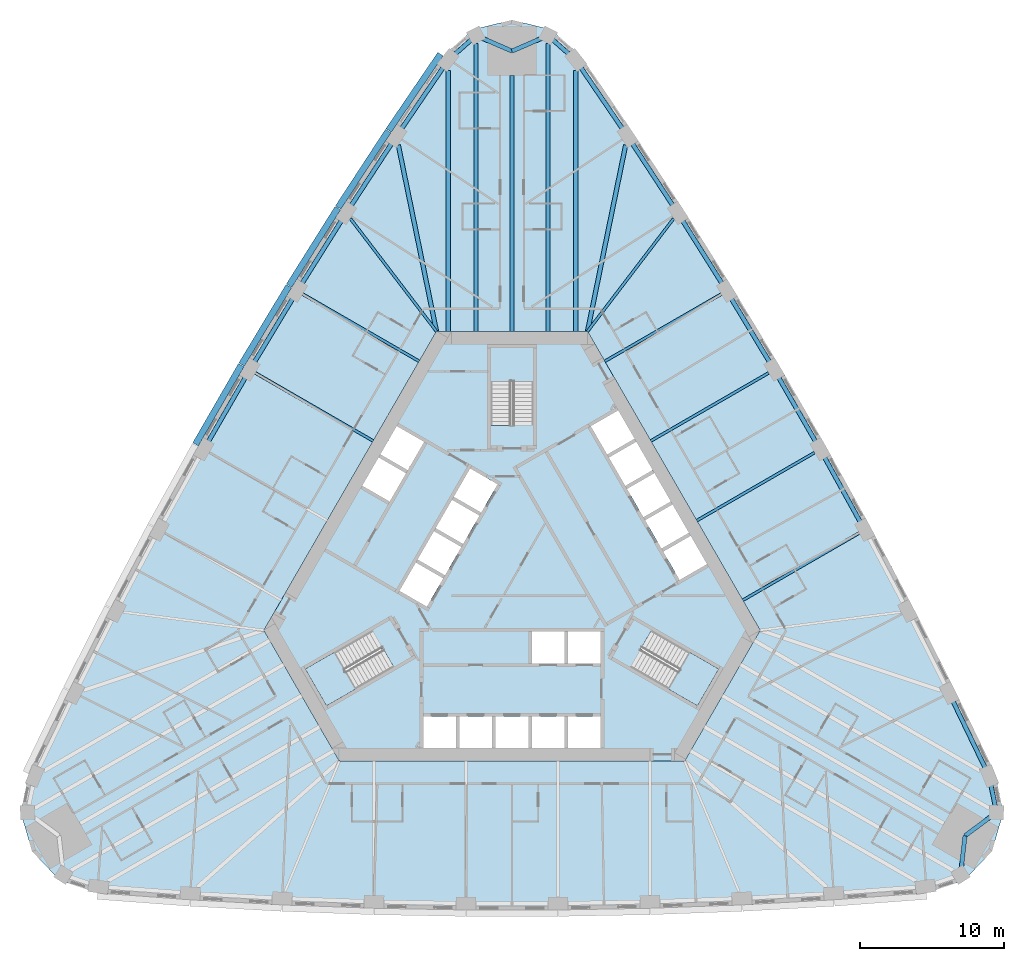
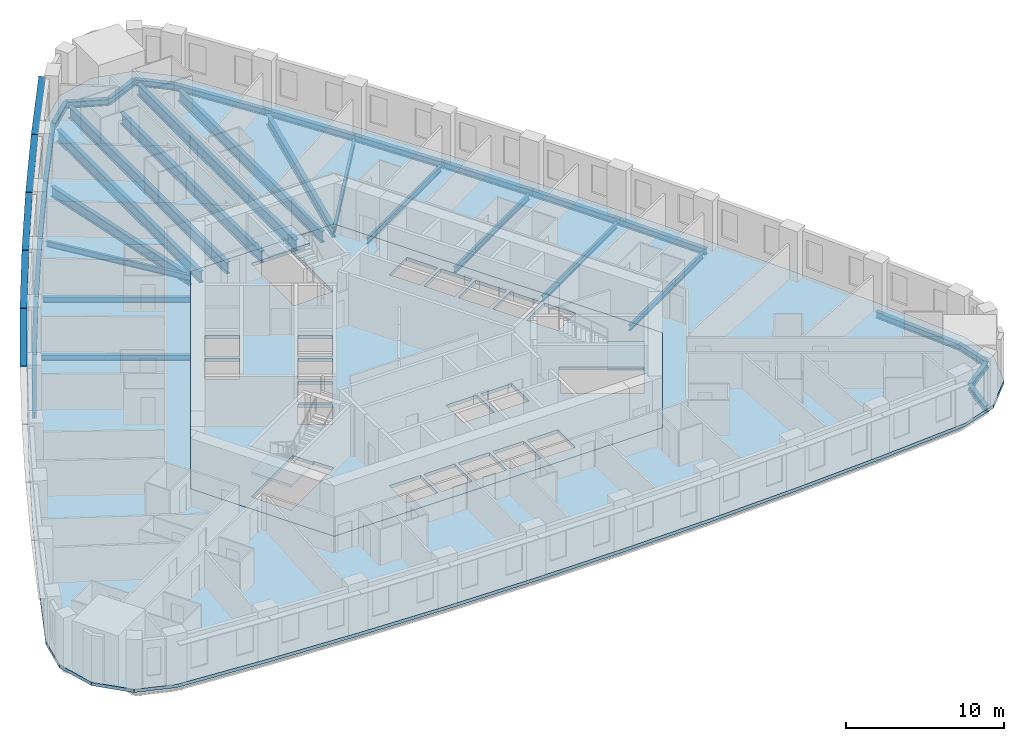
# One storey, part 2 of 13: 34 beams, 5 members, 5 slabs, 3 elements without a shape of their own.
"""IFC4 building model written with IfcOpenShell, lengths in metres."""

from ifc_helpers import new_model, si_unit, direction, frame, origin, origin_2d, place, context, subcontext, project, spatial, polyline, rectangle, i_section, outline, extrude, material, layer, layer_set, material_profile, profile_set, type_object, element, aggregate, save


model = new_model("IFC4")

# Units and contexts
model_context = context("Model", 3, precision=1e-05, world=origin(), true_north=direction((0.0, 1.0)))
body_context = subcontext(model_context, "Body", "Model", "MODEL_VIEW")
ifc_project = project(units=[si_unit("LENGTHUNIT", "METRE"), si_unit("AREAUNIT", "SQUARE_METRE"), si_unit("VOLUMEUNIT", "CUBIC_METRE"), si_unit("PLANEANGLEUNIT", "RADIAN"), si_unit("MASSUNIT", "GRAM", prefix="KILO")], contexts=[model_context])

# Site, building, storey
site_placement = place(None, origin())
site = spatial("IfcSite", under=ifc_project, at=site_placement, CompositionType="ELEMENT")
building_placement = place(site_placement, origin())
building = spatial("IfcBuilding", under=site, at=building_placement, Name="Mestral Congress Tower", CompositionType="ELEMENT")
storey_placement = place(building_placement, frame((0.0, 0.0, 27.60009765625)))
storey = spatial("IfcBuildingStorey", under=building, at=storey_placement, Name="L05", CompositionType="ELEMENT", Elevation=27.60009765625)

# Members
ifc_material_1 = material(Name="Glazed ceramic", Category="masonry")
ifc_material_profile_1 = material_profile(ifc_material_1, rectangle(XDim=0.449951171875, YDim=0.06005859375, at=origin_2d()), Name="Ceramic blade 450 x 60")
ifc_profile_set_1 = profile_set([ifc_material_profile_1], Name="Glazed ceramic")
member_type = type_object("IfcMemberType", Name="Facade sunshade blade 450 x 60", PredefinedType="USERDEFINED", material=ifc_profile_set_1)
member_1_placement = place(storey_placement, frame((-4.973388671875, 36.188232421875, 3.27978515625), z_axis=(-0.562633427576, -0.826706493367, 0.0), x_axis=(0.826706493367, -0.562633427576, 0.0)))
element("IfcMember", 1, at=member_1_placement, inside=storey, type_object=member_type, Name="Sunshade F2-00", ObjectType="SUNSHADE", PredefinedType="USERDEFINED", context=body_context, shape_type="SweptSolid", body=[
    extrude(rectangle(XDim=0.449951171875, YDim=0.06005859375, at=origin_2d()), origin(), (0.0, 0.0, 1.0), 6.4208984375),
])
member_2_placement = place(storey_placement, frame((-8.6103515625, 30.843505859375, 3.27978515625), z_axis=(-0.547211145376, -0.836994601163, 0.0), x_axis=(0.836994601163, -0.547211145376, 0.0)))
element("IfcMember", 2, at=member_2_placement, inside=storey, type_object=member_type, Name="Sunshade F2-01", ObjectType="SUNSHADE", PredefinedType="USERDEFINED", context=body_context, shape_type="SweptSolid", body=[
    extrude(rectangle(XDim=0.449951171875, YDim=0.06005859375, at=origin_2d()), origin(), (0.0, 0.0, 1.0), 6.368408203125),
])
for number, where, z_axis, x_axis, name in (
    (3, (-12.119140625, 25.47607421875, 3.27978515625), (-0.531665815747, -0.846954225662, 0.0), (0.846954225662, -0.531665815747, 0.0), "Sunshade F2-02"),
    (4, (-15.528076171875, 20.044921875, 3.27978515625), (-0.515904518528, -0.856646092481, 0.0), (0.856646092481, -0.515904518528, 0.0), "Sunshade F2-03"),
):
    element("IfcMember", number, at=place(storey_placement, frame(where, z_axis=z_axis, x_axis=x_axis)), inside=storey, type_object=member_type, Name=name, ObjectType="SUNSHADE", PredefinedType="USERDEFINED", context=body_context, shape_type="SweptSolid", body=[
        extrude(rectangle(XDim=0.449951171875, YDim=0.06005859375, at=origin_2d()), origin(), (0.0, 0.0, 1.0), 6.3681640625),
    ])
member_3_placement = place(storey_placement, frame((-18.8359375, 14.5517578125, 3.27978515625), z_axis=(-0.499990149842, -0.866031090701, 0.0), x_axis=(0.866031090701, -0.499990149842, 0.0)))
element("IfcMember", 5, at=member_3_placement, inside=storey, type_object=member_type, Name="Sunshade F2-04", ObjectType="SUNSHADE", PredefinedType="USERDEFINED", context=body_context, shape_type="SweptSolid", body=[
    extrude(rectangle(XDim=0.449951171875, YDim=0.06005859375, at=origin_2d()), origin(), (0.0, 0.0, 1.0), 6.368408203125),
])

# Beams
ifc_material_2 = material(Name="Steel S355", Category="steel")
ifc_material_profile_2 = material_profile(ifc_material_2, i_section(OverallWidth=0.300048828125, OverallDepth=0.800048828125, WebThickness=0.017578125, FlangeThickness=0.032958984375, FilletRadius=0.030029296875, at=origin_2d()), Name="HEB 800")
ifc_profile_set_2 = profile_set([ifc_material_profile_2], Name="Steel S355")
beam_type_1 = type_object("IfcBeamType", Name="Floor beam HEB 800 S355", PredefinedType="BEAM", material=ifc_profile_set_2)
for number, where, z_axis, x_axis, name in (
    (6, (7.90966796875, 29.86669921875, -0.650146484375), (-0.200647311614, -0.979663542418, 0.0), (0.979663542418, -0.200647311614, 0.0), "BM-L05-RB1-E08"),
    (7, (-7.90966796875, 29.86669921875, -0.650146484375), (0.200647311614, -0.979663542418, 0.0), (0.979663542418, 0.200647311614, 0.0), "BM-L05-RB1-W01"),
):
    element("IfcBeam", number, at=place(storey_placement, frame(where, z_axis=z_axis, x_axis=x_axis)), inside=storey, type_object=beam_type_1, Name=name, PredefinedType="BEAM", context=body_context, shape_type="SweptSolid", body=[
        extrude(i_section(OverallWidth=0.300048828125, OverallDepth=0.800048828125, WebThickness=0.017578125, FlangeThickness=0.032958984375, FilletRadius=0.030029296875, at=origin_2d()), origin(), (0.0, 0.0, 1.0), 13.236083984375),
    ])
ifc_material_profile_3 = material_profile(ifc_material_2, i_section(OverallWidth=0.300048828125, OverallDepth=0.89990234375, WebThickness=0.0185546875, FlangeThickness=0.034912109375, FilletRadius=0.030029296875, at=origin_2d()), Name="HEB 900")
ifc_profile_set_3 = profile_set([ifc_material_profile_3], Name="Steel S355")
beam_type_2 = type_object("IfcBeamType", Name="Floor beam HEB 900 S355", PredefinedType="BEAM", material=ifc_profile_set_3)
beam_1_placement = place(storey_placement, frame((4.43603515625, 35.052734375, -0.7001953125), z_axis=(0.0, -1.0, 0.0), x_axis=(1.0, 0.0, 0.0)))
element("IfcBeam", 8, at=beam_1_placement, inside=storey, type_object=beam_type_2, Name="BM-L05-RB1-E09", PredefinedType="BEAM", context=body_context, shape_type="SweptSolid", body=[
    extrude(i_section(OverallWidth=0.300048828125, OverallDepth=0.89990234375, WebThickness=0.0185546875, FlangeThickness=0.034912109375, FilletRadius=0.030029296875, at=origin_2d()), origin(), (0.0, 0.0, 1.0), 18.15283203125),
])
beam_2_placement = place(storey_placement, frame((2.503173828125, 36.91943359375, -0.7001953125), z_axis=(0.0, -1.0, 0.0), x_axis=(1.0, 0.0, 0.0)))
element("IfcBeam", 9, at=beam_2_placement, inside=storey, type_object=beam_type_2, Name="BM-L05-RB1-N1", PredefinedType="BEAM", context=body_context, shape_type="SweptSolid", body=[
    extrude(i_section(OverallWidth=0.300048828125, OverallDepth=0.89990234375, WebThickness=0.0185546875, FlangeThickness=0.034912109375, FilletRadius=0.030029296875, at=origin_2d()), origin(), (0.0, 0.0, 1.0), 20.01953125),
])
beam_3_placement = place(storey_placement, frame((0.0, 34.698974609375, -0.7001953125), z_axis=(0.0, -1.0, 0.0), x_axis=(1.0, 0.0, 0.0)))
element("IfcBeam", 10, at=beam_3_placement, inside=storey, type_object=beam_type_2, Name="BM-L05-RB1-N", PredefinedType="BEAM", context=body_context, shape_type="SweptSolid", body=[
    extrude(i_section(OverallWidth=0.300048828125, OverallDepth=0.89990234375, WebThickness=0.0185546875, FlangeThickness=0.034912109375, FilletRadius=0.030029296875, at=origin_2d()), origin(), (0.0, 0.0, 1.0), 17.799072265625),
])
beam_4_placement = place(storey_placement, frame((-2.503173828125, 36.91943359375, -0.7001953125), z_axis=(0.0, -1.0, 0.0), x_axis=(1.0, 0.0, 0.0)))
element("IfcBeam", 11, at=beam_4_placement, inside=storey, type_object=beam_type_2, Name="BM-L05-RB1-N3", PredefinedType="BEAM", context=body_context, shape_type="SweptSolid", body=[
    extrude(i_section(OverallWidth=0.300048828125, OverallDepth=0.89990234375, WebThickness=0.0185546875, FlangeThickness=0.034912109375, FilletRadius=0.030029296875, at=origin_2d()), origin(), (0.0, 0.0, 1.0), 20.01953125),
])
beam_5_placement = place(storey_placement, frame((-4.43603515625, 35.052734375, -0.7001953125), z_axis=(0.0, -1.0, 0.0), x_axis=(1.0, 0.0, 0.0)))
element("IfcBeam", 12, at=beam_5_placement, inside=storey, type_object=beam_type_2, Name="BM-L05-RB1-W00", PredefinedType="BEAM", context=body_context, shape_type="SweptSolid", body=[
    extrude(i_section(OverallWidth=0.300048828125, OverallDepth=0.89990234375, WebThickness=0.0185546875, FlangeThickness=0.034912109375, FilletRadius=0.030029296875, at=origin_2d()), origin(), (0.0, 0.0, 1.0), 18.15283203125),
])
ifc_material_profile_4 = material_profile(ifc_material_2, i_section(OverallWidth=0.18994140625, OverallDepth=0.449951171875, WebThickness=0.009521484375, FlangeThickness=0.0146484375, FilletRadius=0.02099609375, at=origin_2d()), Name="IPE 450")
ifc_profile_set_4 = profile_set([ifc_material_profile_4], Name="Steel S355")
beam_type_3 = type_object("IfcBeamType", Name="Floor beam IPE 450 S355", PredefinedType="BEAM", material=ifc_profile_set_4)
beam_6_placement = place(storey_placement, frame((24.150634765625, 2.859619140625, -0.47509765625), z_axis=(-0.866032011123, -0.499988555579, 0.0), x_axis=(0.499988555579, -0.866032011123, 0.0)))
element("IfcBeam", 13, at=beam_6_placement, inside=storey, type_object=beam_type_3, Name="BM-L05-RB1-E03", PredefinedType="BEAM", context=body_context, shape_type="SweptSolid", body=[
    extrude(i_section(OverallWidth=0.18994140625, OverallDepth=0.449951171875, WebThickness=0.009521484375, FlangeThickness=0.0146484375, FilletRadius=0.02099609375, at=origin_2d()), origin(), (0.0, 0.0, 1.0), 9.344970703125),
])
for number, where, z_axis, x_axis, name in (
    (14, (21.0537109375, 8.46044921875, -0.47509765625), (-0.866019749231, -0.500009793847, 0.0), (0.500009793847, -0.866019749231, 0.0), "BM-L05-RB1-E04"),
    (15, (17.853759765625, 14.0029296875, -0.47509765625), (-0.866019749231, -0.500009793847, 0.0), (0.500009793847, -0.866019749231, 0.0), "BM-L05-RB1-E05"),
):
    element("IfcBeam", number, at=place(storey_placement, frame(where, z_axis=z_axis, x_axis=x_axis)), inside=storey, type_object=beam_type_3, Name=name, PredefinedType="BEAM", context=body_context, shape_type="SweptSolid", body=[
        extrude(i_section(OverallWidth=0.18994140625, OverallDepth=0.449951171875, WebThickness=0.009521484375, FlangeThickness=0.0146484375, FilletRadius=0.02099609375, at=origin_2d()), origin(), (0.0, 0.0, 1.0), 9.463134765625),
    ])
beam_7_placement = place(storey_placement, frame((14.5517578125, 19.485107421875, -0.47509765625), z_axis=(-0.866025479842, -0.499999868264, 0.0), x_axis=(0.499999868264, -0.866025479842, 0.0)))
element("IfcBeam", 16, at=beam_7_placement, inside=storey, type_object=beam_type_3, Name="BM-L05-RB1-E06", PredefinedType="BEAM", context=body_context, shape_type="SweptSolid", body=[
    extrude(i_section(OverallWidth=0.18994140625, OverallDepth=0.449951171875, WebThickness=0.009521484375, FlangeThickness=0.0146484375, FilletRadius=0.02099609375, at=origin_2d()), origin(), (0.0, 0.0, 1.0), 9.3447265625),
])
for number, where, z_axis, x_axis, name in (
    (17, (11.248291015625, 24.75, -0.47509765625), (-0.606898557801, -0.794779303039, 0.0), (0.794779303039, -0.606898557801, 0.0), "BM-L05-RB1-E07"),
    (18, (-11.248291015625, 24.75, -0.47509765625), (0.606898557801, -0.794779303039, 0.0), (0.794779303039, 0.606898557801, 0.0), "BM-L05-RB1-W02"),
):
    element("IfcBeam", number, at=place(storey_placement, frame(where, z_axis=z_axis, x_axis=x_axis)), inside=storey, type_object=beam_type_3, Name=name, PredefinedType="BEAM", context=body_context, shape_type="SweptSolid", body=[
        extrude(i_section(OverallWidth=0.18994140625, OverallDepth=0.449951171875, WebThickness=0.009521484375, FlangeThickness=0.0146484375, FilletRadius=0.02099609375, at=origin_2d()), origin(), (0.0, 0.0, 1.0), 9.877197265625),
    ])
beam_8_placement = place(storey_placement, frame((-14.5517578125, 19.485107421875, -0.47509765625), z_axis=(0.866025479842, -0.499999868264, 0.0), x_axis=(0.499999868264, 0.866025479842, 0.0)))
element("IfcBeam", 19, at=beam_8_placement, inside=storey, type_object=beam_type_3, Name="BM-L05-RB1-W03", PredefinedType="BEAM", context=body_context, shape_type="SweptSolid", body=[
    extrude(i_section(OverallWidth=0.18994140625, OverallDepth=0.449951171875, WebThickness=0.009521484375, FlangeThickness=0.0146484375, FilletRadius=0.02099609375, at=origin_2d()), origin(), (0.0, 0.0, 1.0), 9.3447265625),
])
beam_9_placement = place(storey_placement, frame((-17.853759765625, 14.0029296875, -0.47509765625), z_axis=(0.866019749231, -0.500009793847, 0.0), x_axis=(0.500009793847, 0.866019749231, 0.0)))
element("IfcBeam", 20, at=beam_9_placement, inside=storey, type_object=beam_type_3, Name="BM-L05-RB1-W04", PredefinedType="BEAM", context=body_context, shape_type="SweptSolid", body=[
    extrude(i_section(OverallWidth=0.18994140625, OverallDepth=0.449951171875, WebThickness=0.009521484375, FlangeThickness=0.0146484375, FilletRadius=0.02099609375, at=origin_2d()), origin(), (0.0, 0.0, 1.0), 9.463134765625),
])
ifc_material_profile_5 = material_profile(ifc_material_2, i_section(OverallWidth=0.300048828125, OverallDepth=0.489990234375, WebThickness=0.011962890625, FlangeThickness=0.02294921875, FilletRadius=0.027099609375, at=origin_2d()), Name="HEA 500")
ifc_profile_set_5 = profile_set([ifc_material_profile_5], Name="Steel S355")
beam_type_4 = type_object("IfcBeamType", Name="Spandrel beam HEA 500 S355", PredefinedType="BEAM", material=ifc_profile_set_5)
for number, where, z_axis, x_axis, name in (
    (21, (31.210205078125, -20.90966796875, -0.4951171875), (0.114457668102, 0.993428126345, 0.0), (-0.993428126345, 0.114457668102, 0.0), "SP-L05-SB1-SE1"),
    (22, (31.5224609375, -18.199462890625, -0.4951171875), (0.803103553896, 0.59583947647, 0.0), (-0.59583947647, 0.803103553896, 0.0), "SP-L05-SB1-SE"),
):
    element("IfcBeam", number, at=place(storey_placement, frame(where, z_axis=z_axis, x_axis=x_axis)), inside=storey, type_object=beam_type_4, Name=name, PredefinedType="BEAM", context=body_context, shape_type="SweptSolid", body=[
        extrude(i_section(OverallWidth=0.300048828125, OverallDepth=0.489990234375, WebThickness=0.011962890625, FlangeThickness=0.02294921875, FilletRadius=0.027099609375, at=origin_2d()), origin(), (0.0, 0.0, 1.0), 2.72802734375),
    ])
beam_10_placement = place(storey_placement, frame((33.71337890625, -16.573974609375, -0.4951171875), z_axis=(-0.198046458429, 0.980192634283, 0.0), x_axis=(-0.980192634283, -0.198046458429, 0.0)))
element("IfcBeam", 23, at=beam_10_placement, inside=storey, type_object=beam_type_4, Name="SP-L05-SB1-SE3", PredefinedType="BEAM", context=body_context, shape_type="SweptSolid", body=[
    extrude(i_section(OverallWidth=0.300048828125, OverallDepth=0.489990234375, WebThickness=0.011962890625, FlangeThickness=0.02294921875, FilletRadius=0.027099609375, at=origin_2d()), origin(), (0.0, 0.0, 1.0), 2.57763671875),
])
for number, where, z_axis, x_axis, name in (
    (24, (33.202880859375, -14.04736328125, -0.4951171875), (-0.434657317293, 0.900595923, 0.0), (-0.900595923, -0.434657317293, 0.0), "SP-L05-SB1-E00"),
    (25, (24.540283203125, 3.084716796875, -0.4951171875), (-0.483909115865, 0.875118259199, 0.0), (-0.875118259199, -0.483909115865, 0.0), "SP-L05-SB1-E03"),
    (26, (21.443359375, 8.685302734375, -0.4951171875), (-0.499999833739, 0.866025499775, 0.0), (-0.866025499775, -0.499999833739, 0.0), "SP-L05-SB1-E04"),
    (27, (18.243408203125, 14.227783203125, -0.4951171875), (-0.515908763091, 0.85664353623, 0.0), (-0.85664353623, -0.515908763091, 0.0), "SP-L05-SB1-E05"),
    (28, (14.941650390625, 19.710205078125, -0.4951171875), (-0.53166441358, 0.846955105855, 0.0), (-0.846955105855, -0.53166441358, 0.0), "SP-L05-SB1-E06"),
):
    element("IfcBeam", number, at=place(storey_placement, frame(where, z_axis=z_axis, x_axis=x_axis)), inside=storey, type_object=beam_type_4, Name=name, PredefinedType="BEAM", context=body_context, shape_type="SweptSolid", body=[
        extrude(i_section(OverallWidth=0.300048828125, OverallDepth=0.489990234375, WebThickness=0.011962890625, FlangeThickness=0.02294921875, FilletRadius=0.027099609375, at=origin_2d()), origin(), (0.0, 0.0, 1.0), 6.39990234375),
    ])
beam_11_placement = place(storey_placement, frame((11.5390625, 25.130615234375, -0.4951171875), z_axis=(-0.547248335203, 0.836970285982, 0.0), x_axis=(-0.836970285982, -0.547248335203, 0.0)))
element("IfcBeam", 29, at=beam_11_placement, inside=storey, type_object=beam_type_4, Name="SP-L05-SB1-E07", PredefinedType="BEAM", context=body_context, shape_type="SweptSolid", body=[
    extrude(i_section(OverallWidth=0.300048828125, OverallDepth=0.489990234375, WebThickness=0.011962890625, FlangeThickness=0.02294921875, FilletRadius=0.027099609375, at=origin_2d()), origin(), (0.0, 0.0, 1.0), 6.400146484375),
])
beam_12_placement = place(storey_placement, frame((8.03662109375, 30.4873046875, -0.4951171875), z_axis=(-0.562597971021, 0.826730622998, 0.0), x_axis=(-0.826730622998, -0.562597971021, 0.0)))
element("IfcBeam", 30, at=beam_12_placement, inside=storey, type_object=beam_type_4, Name="SP-L05-SB1-E08", PredefinedType="BEAM", context=body_context, shape_type="SweptSolid", body=[
    extrude(i_section(OverallWidth=0.300048828125, OverallDepth=0.489990234375, WebThickness=0.011962890625, FlangeThickness=0.02294921875, FilletRadius=0.027099609375, at=origin_2d()), origin(), (0.0, 0.0, 1.0), 6.39990234375),
])
beam_13_placement = place(storey_placement, frame((4.43603515625, 35.7783203125, -0.4951171875), z_axis=(-0.749865495527, 0.661590310251, 0.0), x_axis=(-0.661590310251, -0.749865495527, 0.0)))
element("IfcBeam", 31, at=beam_13_placement, inside=storey, type_object=beam_type_4, Name="SP-L05-SB1-E09", PredefinedType="BEAM", context=body_context, shape_type="SweptSolid", body=[
    extrude(i_section(OverallWidth=0.300048828125, OverallDepth=0.489990234375, WebThickness=0.011962890625, FlangeThickness=0.02294921875, FilletRadius=0.027099609375, at=origin_2d()), origin(), (0.0, 0.0, 1.0), 2.57763671875),
])
for number, where, z_axis, x_axis, name in (
    (32, (2.503173828125, 37.483642578125, -0.4951171875), (-0.917554537012, -0.397609949082, 0.0), (0.397609949082, -0.917554537012, 0.0), "SP-L05-SB1-N1"),
    (33, (0.0, 36.39892578125, -0.4951171875), (-0.917554537012, 0.397609949082, 0.0), (-0.397609949082, -0.917554537012, 0.0), "SP-L05-SB1-N"),
):
    element("IfcBeam", number, at=place(storey_placement, frame(where, z_axis=z_axis, x_axis=x_axis)), inside=storey, type_object=beam_type_4, Name=name, PredefinedType="BEAM", context=body_context, shape_type="SweptSolid", body=[
        extrude(i_section(OverallWidth=0.300048828125, OverallDepth=0.489990234375, WebThickness=0.011962890625, FlangeThickness=0.02294921875, FilletRadius=0.027099609375, at=origin_2d()), origin(), (0.0, 0.0, 1.0), 2.72802734375),
    ])
beam_14_placement = place(storey_placement, frame((-2.503173828125, 37.483642578125, -0.4951171875), z_axis=(-0.749865495527, -0.661590310251, 0.0), x_axis=(0.661590310251, -0.749865495527, 0.0)))
element("IfcBeam", 34, at=beam_14_placement, inside=storey, type_object=beam_type_4, Name="SP-L05-SB1-N3", PredefinedType="BEAM", context=body_context, shape_type="SweptSolid", body=[
    extrude(i_section(OverallWidth=0.300048828125, OverallDepth=0.489990234375, WebThickness=0.011962890625, FlangeThickness=0.02294921875, FilletRadius=0.027099609375, at=origin_2d()), origin(), (0.0, 0.0, 1.0), 2.57763671875),
])
beam_15_placement = place(storey_placement, frame((-4.43603515625, 35.7783203125, -0.4951171875), z_axis=(-0.562597971021, -0.826730622998, 0.0), x_axis=(0.826730622998, -0.562597971021, 0.0)))
element("IfcBeam", 35, at=beam_15_placement, inside=storey, type_object=beam_type_4, Name="SP-L05-SB1-W00", PredefinedType="BEAM", context=body_context, shape_type="SweptSolid", body=[
    extrude(i_section(OverallWidth=0.300048828125, OverallDepth=0.489990234375, WebThickness=0.011962890625, FlangeThickness=0.02294921875, FilletRadius=0.027099609375, at=origin_2d()), origin(), (0.0, 0.0, 1.0), 6.39990234375),
])
beam_16_placement = place(storey_placement, frame((-8.03662109375, 30.4873046875, -0.4951171875), z_axis=(-0.547248335203, -0.836970285982, 0.0), x_axis=(0.836970285982, -0.547248335203, 0.0)))
element("IfcBeam", 36, at=beam_16_placement, inside=storey, type_object=beam_type_4, Name="SP-L05-SB1-W01", PredefinedType="BEAM", context=body_context, shape_type="SweptSolid", body=[
    extrude(i_section(OverallWidth=0.300048828125, OverallDepth=0.489990234375, WebThickness=0.011962890625, FlangeThickness=0.02294921875, FilletRadius=0.027099609375, at=origin_2d()), origin(), (0.0, 0.0, 1.0), 6.400146484375),
])
for number, where, z_axis, x_axis, name in (
    (37, (-11.5390625, 25.130615234375, -0.4951171875), (-0.53166441358, -0.846955105855, 0.0), (0.846955105855, -0.53166441358, 0.0), "SP-L05-SB1-W02"),
    (38, (-14.941650390625, 19.710205078125, -0.4951171875), (-0.515908763091, -0.85664353623, 0.0), (0.85664353623, -0.515908763091, 0.0), "SP-L05-SB1-W03"),
    (39, (-18.243408203125, 14.227783203125, -0.4951171875), (-0.499999833739, -0.866025499775, 0.0), (0.866025499775, -0.499999833739, 0.0), "SP-L05-SB1-W04"),
):
    element("IfcBeam", number, at=place(storey_placement, frame(where, z_axis=z_axis, x_axis=x_axis)), inside=storey, type_object=beam_type_4, Name=name, PredefinedType="BEAM", context=body_context, shape_type="SweptSolid", body=[
        extrude(i_section(OverallWidth=0.300048828125, OverallDepth=0.489990234375, WebThickness=0.011962890625, FlangeThickness=0.02294921875, FilletRadius=0.027099609375, at=origin_2d()), origin(), (0.0, 0.0, 1.0), 6.39990234375),
    ])

# Slabs
ifc_material_3 = material(Name="Concrete C35/45", Category="concrete")
ifc_layer_1 = layer(ifc_material_3, 0.25)
ifc_layer_set_1 = layer_set([ifc_layer_1], Name="Concrete C35/45")
slab_type_1 = type_object("IfcSlabType", Name="Composite floor slab 250", PredefinedType="FLOOR", material=ifc_layer_set_1)
placement_1 = place(storey_placement, frame((0.0, 0.0, -0.25)))
element("IfcSlab", 40, at=placement_1, inside=storey, type_object=slab_type_1, Name="SL-L05", PredefinedType="FLOOR", context=body_context, shape_type="SweptSolid", body=[
    extrude(outline(polyline([(-28.8564453125, -22.17529296875), (-31.45849609375, -21.301025390625), (-33.39599609375, -19.28125), (-34.176513671875, -16.59326171875), (-33.6328125, -13.90283203125), (-30.824462890625, -8.084228515625), (-27.93310546875, -2.365478515625), (-24.936279296875, 3.298828125), (-21.835205078125, 8.90673828125), (-18.631103515625, 14.45654296875), (-15.324951171875, 19.946044921875), (-11.91796875, 25.373291015625), (-8.4111328125, 30.737060546875), (-4.776123046875, 36.078125), (-2.718017578125, 37.894287109375), (0.0, 38.562255859375), (2.718017578125, 37.894287109375), (4.776123046875, 36.078125), (8.4111328125, 30.737060546875), (11.91796875, 25.373291015625), (15.324951171875, 19.946044921875), (18.631103515625, 14.45654296875), (21.835205078125, 8.90673828125), (24.936279296875, 3.298828125), (27.93310546875, -2.365478515625), (30.824462890625, -8.084228515625), (33.6328125, -13.90283203125), (34.176513671875, -16.59326171875), (33.39599609375, -19.28125), (31.45849609375, -21.301025390625), (28.8564453125, -22.17529296875), (22.41357421875, -22.652587890625), (16.01513671875, -23.0078125), (9.611083984375, -23.244873046875), (3.2041015625, -23.36328125), (-3.2041015625, -23.36328125), (-9.611083984375, -23.244873046875), (-16.01513671875, -23.0078125), (-22.41357421875, -22.652587890625), (-28.8564453125, -22.17529296875)]), holes=[polyline([(-5.25390625, 16.89990234375), (-17.2626953125, -3.89990234375), (-12.0087890625, -13.0), (12.0087890625, -13.0), (17.2626953125, -3.89990234375), (5.25390625, 16.89990234375), (-5.25390625, 16.89990234375)])]), origin(), (0.0, 0.0, 1.0), 0.25),
])
ifc_material_4 = material(Name="Concrete C60/75", Category="concrete")
ifc_layer_2 = layer(ifc_material_4, 0.25)
ifc_layer_set_2 = layer_set([ifc_layer_2], Name="Concrete C60/75")
slab_type_2 = type_object("IfcSlabType", Name="Core floor slab RC 250", PredefinedType="FLOOR", material=ifc_layer_set_2)
element("IfcSlab", 41, at=placement_1, inside=storey, type_object=slab_type_2, Name="L05 core floor", PredefinedType="FLOOR", context=body_context, shape_type="SweptSolid", body=[
    extrude(outline(polyline([(12.0087890625, -13.0), (-12.0087890625, -13.0), (-17.2626953125, -3.89990234375), (-5.25390625, 16.89990234375), (5.25390625, 16.89990234375), (17.2626953125, -3.89990234375), (12.0087890625, -13.0)]), holes=[polyline([(-3.905029296875, -9.89990234375), (-6.175048828125, -9.89990234375), (-6.175048828125, -12.10009765625), (-3.905029296875, -12.10009765625), (-3.905029296875, -9.89990234375)]), polyline([(-1.385009765625, -9.89990234375), (-3.655029296875, -9.89990234375), (-3.655029296875, -12.10009765625), (-1.385009765625, -12.10009765625), (-1.385009765625, -9.89990234375)]), polyline([(1.135009765625, -9.89990234375), (-1.135009765625, -9.89990234375), (-1.135009765625, -12.10009765625), (1.135009765625, -12.10009765625), (1.135009765625, -9.89990234375)]), polyline([(-9.0673828125, -5.235107421875), (-9.8046875, -3.95751953125), (-14.37744140625, -6.59765625), (-12.90234375, -9.15234375), (-8.234619140625, -6.45751953125), (-8.971923828125, -5.179931640625), (-9.0673828125, -5.235107421875)]), polyline([(-7.826904296875, -1.156494140625), (-5.921630859375, -2.256591796875), (-4.78662109375, -0.29052734375), (-6.69189453125, 0.809326171875), (-7.826904296875, -1.156494140625)]), polyline([(-4.66162109375, -0.07421875), (-3.526611328125, 1.8916015625), (-5.431884765625, 2.99169921875), (-6.56689453125, 1.02587890625), (-4.66162109375, -0.07421875)]), polyline([(-3.401611328125, 2.1083984375), (-2.2666015625, 4.07421875), (-4.171875, 5.174072265625), (-5.306884765625, 3.208251953125), (-3.401611328125, 2.1083984375)]), polyline([(-2.1416015625, 4.29052734375), (-1.006591796875, 6.256591796875), (-2.911865234375, 7.3564453125), (-4.046875, 5.390625), (-2.1416015625, 4.29052734375)]), polyline([(-10.41650390625, 6.158203125), (-8.51123046875, 5.058349609375), (-7.376220703125, 7.024169921875), (-9.281494140625, 8.1240234375), (-10.41650390625, 6.158203125)]), polyline([(-9.156494140625, 8.340576171875), (-7.251220703125, 7.240478515625), (-6.1162109375, 9.20654296875), (-8.021484375, 10.306396484375), (-9.156494140625, 8.340576171875)]), polyline([(1.47509765625, 10.469970703125), (1.47509765625, 15.75), (-1.47509765625, 15.75), (-1.47509765625, 10.360107421875), (0.0, 10.360107421875), (0.0, 10.469970703125), (1.47509765625, 10.469970703125)]), polyline([(3.655029296875, -9.89990234375), (1.385009765625, -9.89990234375), (1.385009765625, -12.10009765625), (3.655029296875, -12.10009765625), (3.655029296875, -9.89990234375)]), polyline([(6.175048828125, -9.89990234375), (3.905029296875, -9.89990234375), (3.905029296875, -12.10009765625), (6.175048828125, -12.10009765625), (6.175048828125, -9.89990234375)]), polyline([(9.0673828125, -5.235107421875), (8.329833984375, -6.512451171875), (12.90234375, -9.15234375), (14.37744140625, -6.59765625), (9.70947265625, -3.902587890625), (8.971923828125, -5.179931640625), (9.0673828125, -5.235107421875)]), polyline([(3.655029296875, -6.199951171875), (3.655029296875, -4.0), (1.385009765625, -4.0), (1.385009765625, -6.199951171875), (3.655029296875, -6.199951171875)]), polyline([(6.175048828125, -4.0), (3.905029296875, -4.0), (3.905029296875, -6.199951171875), (6.175048828125, -6.199951171875), (6.175048828125, -4.0)]), polyline([(12.431396484375, 2.668212890625), (10.526123046875, 1.568115234375), (11.6611328125, -0.397705078125), (13.56640625, 0.702392578125), (12.431396484375, 2.668212890625)]), polyline([(11.17138671875, 4.8505859375), (9.26611328125, 3.75048828125), (10.401123046875, 1.78466796875), (12.306396484375, 2.884765625), (11.17138671875, 4.8505859375)]), polyline([(8.006103515625, 5.932861328125), (9.14111328125, 3.967041015625), (11.04638671875, 5.067138671875), (9.911376953125, 7.032958984375), (8.006103515625, 5.932861328125)]), polyline([(8.6513671875, 9.21533203125), (6.74609375, 8.115234375), (7.881103515625, 6.1494140625), (9.786376953125, 7.24951171875), (8.6513671875, 9.21533203125)]), polyline([(7.391357421875, 11.397705078125), (5.486083984375, 10.297607421875), (6.62109375, 8.331787109375), (8.5263671875, 9.431884765625), (7.391357421875, 11.397705078125)])]), origin(), (0.0, 0.0, 1.0), 0.25),
])

# Stair, slab
stair_type = type_object("IfcStairType", Name="Exit stair 1400", PredefinedType="HALF_TURN_STAIR", material=ifc_material_4)
placement_2 = place(storey_placement, origin())
stair_1 = element("IfcStair", 42, at=placement_2, inside=storey, type_object=stair_type, Name="L05 ST1", PredefinedType="HALF_TURN_STAIR")
ifc_layer_3 = layer(ifc_material_4, 0.199951171875)
ifc_layer_set_3 = layer_set([ifc_layer_3], Name="Concrete C60/75")
slab_type_3 = type_object("IfcSlabType", Name="Exit stair landing 200", PredefinedType="LANDING", material=ifc_layer_set_3)
placement_3 = place(storey_placement, frame((0.0, 0.0, 1.75)))
slab_3 = element("IfcSlab", 43, at=placement_3, type_object=slab_type_3, Name="ST1 landing 1", PredefinedType="LANDING", context=body_context, shape_type="SweptSolid", body=[
    extrude(outline(polyline([(10.879638671875, -7.99609375), (12.364501953125, -5.424072265625), (14.39111328125, -6.593994140625), (12.906005859375, -9.166015625), (10.879638671875, -7.99609375)])), origin(), (0.0, 0.0, 1.0), 0.199951171875),
])
aggregate(stair_1, [slab_3])

stair_2 = element("IfcStair", 44, at=placement_2, inside=storey, type_object=stair_type, Name="L05 ST2", PredefinedType="HALF_TURN_STAIR")
slab_4 = element("IfcSlab", 45, at=placement_3, type_object=slab_type_3, Name="ST2 landing 1", PredefinedType="LANDING", context=body_context, shape_type="SweptSolid", body=[
    extrude(outline(polyline([(1.485107421875, 13.419921875), (-1.485107421875, 13.419921875), (-1.485107421875, 15.760009765625), (1.485107421875, 15.760009765625), (1.485107421875, 13.419921875)])), origin(), (0.0, 0.0, 1.0), 0.199951171875),
])
aggregate(stair_2, [slab_4])

stair_3 = element("IfcStair", 46, at=placement_2, inside=storey, type_object=stair_type, Name="L05 ST3", PredefinedType="HALF_TURN_STAIR")
slab_5 = element("IfcSlab", 47, at=placement_3, type_object=slab_type_3, Name="ST3 landing 1", PredefinedType="LANDING", context=body_context, shape_type="SweptSolid", body=[
    extrude(outline(polyline([(-12.364501953125, -5.424072265625), (-10.879638671875, -7.99609375), (-12.906005859375, -9.166015625), (-14.39111328125, -6.593994140625), (-12.364501953125, -5.424072265625)])), origin(), (0.0, 0.0, 1.0), 0.199951171875),
])
aggregate(stair_3, [slab_5])

save(model, "model.ifc")
